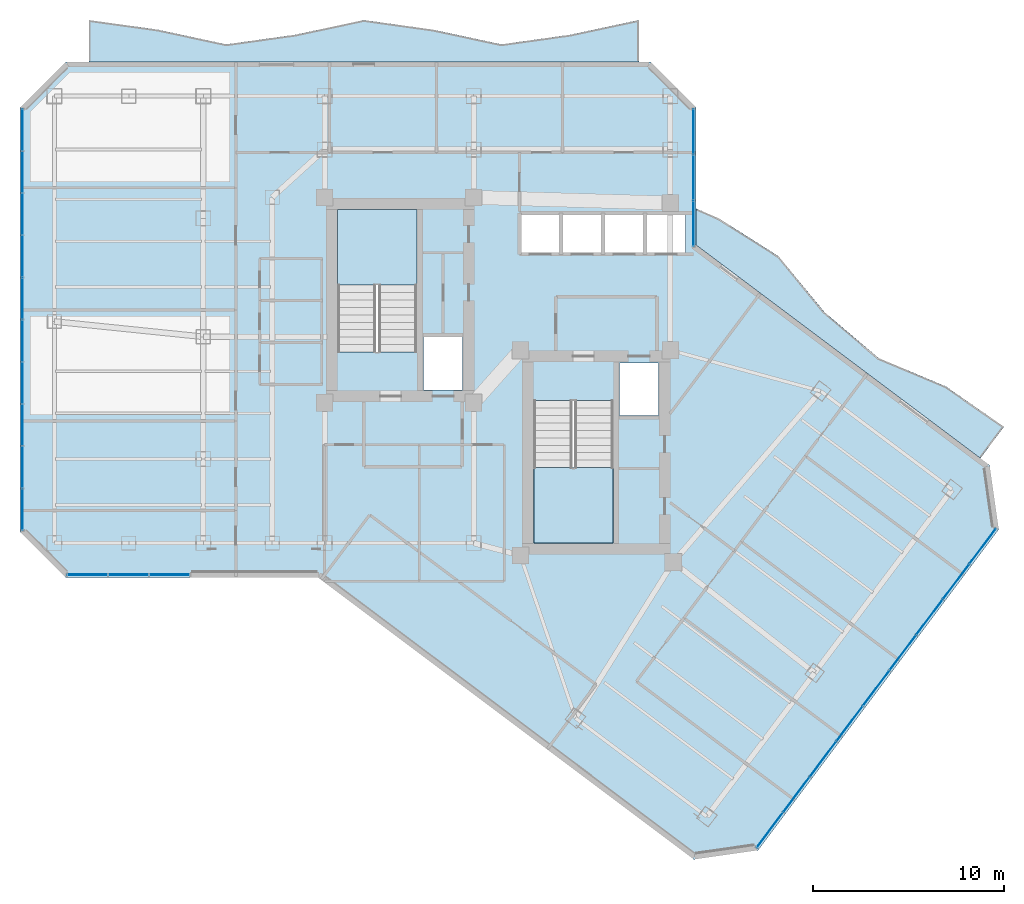
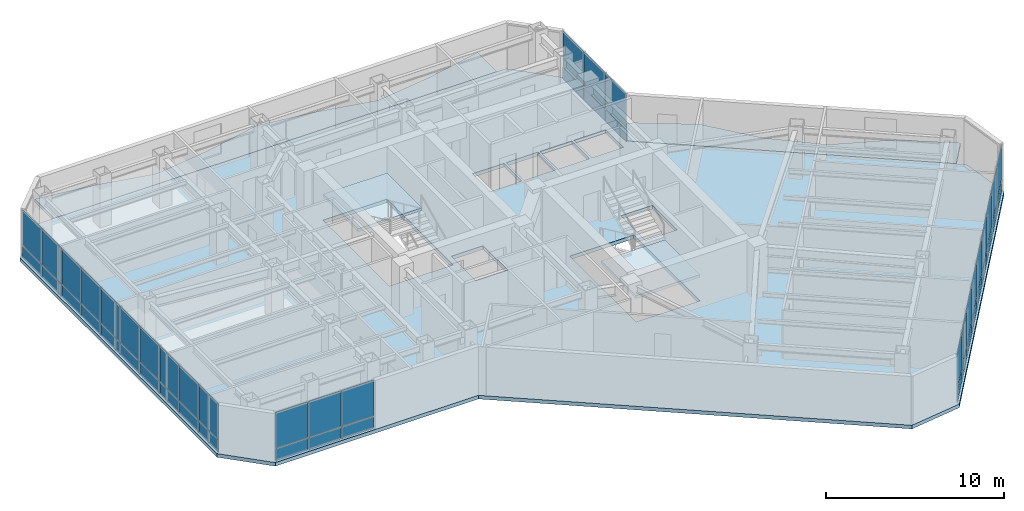
# One storey, part 20 of 27: 50 plates, 5 slabs, 6 elements without a shape of their own.
"""IFC4 building model written with IfcOpenShell, lengths in metres."""

from ifc_helpers import new_model, si_unit, direction, frame, origin, origin_2d, place, context, subcontext, project, spatial, polyline, rectangle, outline, extrude, material, layer, layer_set, type_object, element, aggregate, save


model = new_model("IFC4")

# Units and contexts
model_context = context("Model", 3, precision=1e-05, world=origin(), true_north=direction((0.0, 1.0)))
body_context = subcontext(model_context, "Body", "Model", "MODEL_VIEW")
ifc_project = project(units=[si_unit("LENGTHUNIT", "METRE"), si_unit("AREAUNIT", "SQUARE_METRE"), si_unit("VOLUMEUNIT", "CUBIC_METRE"), si_unit("PLANEANGLEUNIT", "RADIAN"), si_unit("MASSUNIT", "GRAM", prefix="KILO")], contexts=[model_context])

# Site, building, storey
site_placement = place(None, origin())
site = spatial("IfcSite", under=ifc_project, at=site_placement, CompositionType="ELEMENT")
building_placement = place(site_placement, origin())
building = spatial("IfcBuilding", under=site, at=building_placement, Name="Hatsunagi Terrace Concourse", CompositionType="ELEMENT")
storey_placement = place(building_placement, frame((0.0, 0.0, 163.64990234375)))
storey = spatial("IfcBuildingStorey", under=building, at=storey_placement, Name="L43", CompositionType="ELEMENT", Elevation=163.64990234375)

# Curtain wall, plates
ifc_material_1 = material(Name="Anodised Aluminium Alloy 6063-T5", Category="aluminium")
ifc_layer_1 = layer(ifc_material_1, 0.199951171875)
ifc_layer_set_1 = layer_set([ifc_layer_1], Name="OfficeZone1_CW03")
curtain_wall_type = type_object("IfcCurtainWallType", Name="OfficeZone1_CW03", PredefinedType="NOTDEFINED", material=ifc_layer_set_1)
curtain_wall_1_placement = place(storey_placement, origin())
curtain_wall_1 = element("IfcCurtainWall", 1, at=curtain_wall_1_placement, inside=storey, type_object=curtain_wall_type, Name="Unitised Curtain Wall CW-03 CW-L43-03", PredefinedType="NOTDEFINED")
ifc_material_2 = material(Name="Warm Terracotta Ceramic Spandrel Panel", Category="masonry")
ifc_layer_2 = layer(ifc_material_2, 0.031982421875)
ifc_layer_set_2 = layer_set([ifc_layer_2], Name="CurtainWallSpandrelPanel_32")
plate_type_1 = type_object("IfcPlateType", Name="CurtainWallSpandrelPanel_32", PredefinedType="SHEET", material=ifc_layer_set_2)
plate_1_placement = place(storey_placement, frame((59.9970703125, 25.030029296875, 0.030029296875), z_axis=(0.0, 0.0, 1.0), x_axis=(-0.599969314634, -0.800023013105, 0.0)))
plate_1 = element("IfcPlate", 2, at=plate_1_placement, type_object=plate_type_1, Name="Terracotta Spandrel Panel SPN-01", PredefinedType="SHEET", context=body_context, shape_type="SweptSolid", body=[
    extrude(rectangle(XDim=2.264892578125, YDim=0.031982421875, at=origin_2d()), origin(), (0.0, 0.0, 1.0), 0.7900390625),
])
plate_2_placement = place(storey_placement, frame((58.60498046875, 23.173095703125, 0.030029296875), z_axis=(0.0, 0.0, 1.0), x_axis=(-0.599969314634, -0.800023013105, 0.0)))
plate_2 = element("IfcPlate", 3, at=plate_2_placement, type_object=plate_type_1, Name="Terracotta Spandrel Panel SPN-01", PredefinedType="SHEET", context=body_context, shape_type="SweptSolid", body=[
    extrude(rectangle(XDim=2.264892578125, YDim=0.031982421875, at=origin_2d()), origin(), (0.0, 0.0, 1.0), 0.7900390625),
])
plate_3_placement = place(storey_placement, frame((57.2119140625, 21.31689453125, 0.030029296875), z_axis=(0.0, 0.0, 1.0), x_axis=(-0.599969314634, -0.800023013105, 0.0)))
plate_3 = element("IfcPlate", 4, at=plate_3_placement, type_object=plate_type_1, Name="Terracotta Spandrel Panel SPN-01", PredefinedType="SHEET", context=body_context, shape_type="SweptSolid", body=[
    extrude(rectangle(XDim=2.264892578125, YDim=0.031982421875, at=origin_2d()), origin(), (0.0, 0.0, 1.0), 0.7900390625),
])
plate_4_placement = place(storey_placement, frame((55.820068359375, 19.4599609375, 0.030029296875), z_axis=(0.0, 0.0, 1.0), x_axis=(-0.599969314634, -0.800023013105, 0.0)))
plate_4 = element("IfcPlate", 5, at=plate_4_placement, type_object=plate_type_1, Name="Terracotta Spandrel Panel SPN-01", PredefinedType="SHEET", context=body_context, shape_type="SweptSolid", body=[
    extrude(rectangle(XDim=2.264892578125, YDim=0.031982421875, at=origin_2d()), origin(), (0.0, 0.0, 1.0), 0.7900390625),
])
plate_5_placement = place(storey_placement, frame((54.427978515625, 17.60400390625, 0.030029296875), z_axis=(0.0, 0.0, 1.0), x_axis=(-0.599969314634, -0.800023013105, 0.0)))
plate_5 = element("IfcPlate", 6, at=plate_5_placement, type_object=plate_type_1, Name="Terracotta Spandrel Panel SPN-01", PredefinedType="SHEET", context=body_context, shape_type="SweptSolid", body=[
    extrude(rectangle(XDim=2.264892578125, YDim=0.031982421875, at=origin_2d()), origin(), (0.0, 0.0, 1.0), 0.7900390625),
])
plate_6_placement = place(storey_placement, frame((53.035888671875, 15.748046875, 0.030029296875), z_axis=(0.0, 0.0, 1.0), x_axis=(-0.599969314634, -0.800023013105, 0.0)))
plate_6 = element("IfcPlate", 7, at=plate_6_placement, type_object=plate_type_1, Name="Terracotta Spandrel Panel SPN-01", PredefinedType="SHEET", context=body_context, shape_type="SweptSolid", body=[
    extrude(rectangle(XDim=2.264892578125, YDim=0.031982421875, at=origin_2d()), origin(), (0.0, 0.0, 1.0), 0.7900390625),
])
plate_7_placement = place(storey_placement, frame((51.64404296875, 13.89111328125, 0.030029296875), z_axis=(0.0, 0.0, 1.0), x_axis=(-0.599969314634, -0.800023013105, 0.0)))
plate_7 = element("IfcPlate", 8, at=plate_7_placement, type_object=plate_type_1, Name="Terracotta Spandrel Panel SPN-01", PredefinedType="SHEET", context=body_context, shape_type="SweptSolid", body=[
    extrude(rectangle(XDim=2.264892578125, YDim=0.031982421875, at=origin_2d()), origin(), (0.0, 0.0, 1.0), 0.7900390625),
])
plate_8_placement = place(storey_placement, frame((50.2509765625, 12.034912109375, 0.030029296875), z_axis=(0.0, 0.0, 1.0), x_axis=(-0.599969314634, -0.800023013105, 0.0)))
plate_8 = element("IfcPlate", 9, at=plate_8_placement, type_object=plate_type_1, Name="Terracotta Spandrel Panel SPN-01", PredefinedType="SHEET", context=body_context, shape_type="SweptSolid", body=[
    extrude(rectangle(XDim=2.264892578125, YDim=0.031982421875, at=origin_2d()), origin(), (0.0, 0.0, 1.0), 0.7900390625),
])
plate_9_placement = place(storey_placement, frame((48.85888671875, 10.177978515625, 0.030029296875), z_axis=(0.0, 0.0, 1.0), x_axis=(-0.599969314634, -0.800023013105, 0.0)))
plate_9 = element("IfcPlate", 10, at=plate_9_placement, type_object=plate_type_1, Name="Terracotta Spandrel Panel SPN-01", PredefinedType="SHEET", context=body_context, shape_type="SweptSolid", body=[
    extrude(rectangle(XDim=2.264892578125, YDim=0.031982421875, at=origin_2d()), origin(), (0.0, 0.0, 1.0), 0.7900390625),
])

curtain_wall_2_placement = place(storey_placement, origin())
curtain_wall_2 = element("IfcCurtainWall", 11, at=curtain_wall_2_placement, inside=storey, type_object=curtain_wall_type, Name="Unitised Curtain Wall CW-03 CW-L43-07", PredefinedType="NOTDEFINED")
plate_10_placement = place(storey_placement, frame((17.426025390625, 23.5400390625, 0.030029296875), z_axis=(0.0, 0.0, 1.0), x_axis=(-1.0, 0.0, 0.0)))
plate_10 = element("IfcPlate", 12, at=plate_10_placement, type_object=plate_type_1, Name="Terracotta Spandrel Panel SPN-01", PredefinedType="SHEET", context=body_context, shape_type="SweptSolid", body=[
    extrude(rectangle(XDim=2.092041015625, YDim=0.031982421875, at=origin_2d()), origin(), (0.0, 0.0, 1.0), 0.7900390625),
])
plate_11_placement = place(storey_placement, frame((15.279052734375, 23.5400390625, 0.030029296875), z_axis=(0.0, 0.0, 1.0), x_axis=(-1.0, 0.0, 0.0)))
plate_11 = element("IfcPlate", 13, at=plate_11_placement, type_object=plate_type_1, Name="Terracotta Spandrel Panel SPN-01", PredefinedType="SHEET", context=body_context, shape_type="SweptSolid", body=[
    extrude(rectangle(XDim=2.092041015625, YDim=0.031982421875, at=origin_2d()), origin(), (0.0, 0.0, 1.0), 0.7900390625),
])
plate_12_placement = place(storey_placement, frame((13.132080078125, 23.5400390625, 0.030029296875), z_axis=(0.0, 0.0, 1.0), x_axis=(-1.0, 0.0, 0.0)))
plate_12 = element("IfcPlate", 14, at=plate_12_placement, type_object=plate_type_1, Name="Terracotta Spandrel Panel SPN-01", PredefinedType="SHEET", context=body_context, shape_type="SweptSolid", body=[
    extrude(rectangle(XDim=2.092041015625, YDim=0.031982421875, at=origin_2d()), origin(), (0.0, 0.0, 1.0), 0.7900390625),
])

curtain_wall_3_placement = place(storey_placement, origin())
curtain_wall_3 = element("IfcCurtainWall", 15, at=curtain_wall_3_placement, inside=storey, type_object=curtain_wall_type, Name="Unitised Curtain Wall CW-03 CW-L43-09", PredefinedType="NOTDEFINED")
plate_13_placement = place(storey_placement, frame((9.739990234375, 26.9619140625, 0.030029296875), z_axis=(0.0, 0.0, 1.0), x_axis=(0.0, 1.0, 0.0)))
plate_13 = element("IfcPlate", 16, at=plate_13_placement, type_object=plate_type_1, Name="Terracotta Spandrel Panel SPN-01", PredefinedType="SHEET", context=body_context, shape_type="SweptSolid", body=[
    extrude(rectangle(XDim=2.153076171875, YDim=0.031982421875, at=origin_2d()), origin(), (0.0, 0.0, 1.0), 0.7900390625),
])
plate_14_placement = place(storey_placement, frame((9.739990234375, 29.1708984375, 0.030029296875), z_axis=(0.0, 0.0, 1.0), x_axis=(0.0, 1.0, 0.0)))
plate_14 = element("IfcPlate", 17, at=plate_14_placement, type_object=plate_type_1, Name="Terracotta Spandrel Panel SPN-01", PredefinedType="SHEET", context=body_context, shape_type="SweptSolid", body=[
    extrude(rectangle(XDim=2.153076171875, YDim=0.031982421875, at=origin_2d()), origin(), (0.0, 0.0, 1.0), 0.7900390625),
])
plate_15_placement = place(storey_placement, frame((9.739990234375, 31.37890625, 0.030029296875), z_axis=(0.0, 0.0, 1.0), x_axis=(0.0, 1.0, 0.0)))
plate_15 = element("IfcPlate", 18, at=plate_15_placement, type_object=plate_type_1, Name="Terracotta Spandrel Panel SPN-01", PredefinedType="SHEET", context=body_context, shape_type="SweptSolid", body=[
    extrude(rectangle(XDim=2.153076171875, YDim=0.031982421875, at=origin_2d()), origin(), (0.0, 0.0, 1.0), 0.7900390625),
])
plate_16_placement = place(storey_placement, frame((9.739990234375, 33.5869140625, 0.030029296875), z_axis=(0.0, 0.0, 1.0), x_axis=(0.0, 1.0, 0.0)))
plate_16 = element("IfcPlate", 19, at=plate_16_placement, type_object=plate_type_1, Name="Terracotta Spandrel Panel SPN-01", PredefinedType="SHEET", context=body_context, shape_type="SweptSolid", body=[
    extrude(rectangle(XDim=2.153076171875, YDim=0.031982421875, at=origin_2d()), origin(), (0.0, 0.0, 1.0), 0.7900390625),
])
plate_17_placement = place(storey_placement, frame((9.739990234375, 35.7958984375, 0.030029296875), z_axis=(0.0, 0.0, 1.0), x_axis=(0.0, 1.0, 0.0)))
plate_17 = element("IfcPlate", 20, at=plate_17_placement, type_object=plate_type_1, Name="Terracotta Spandrel Panel SPN-01", PredefinedType="SHEET", context=body_context, shape_type="SweptSolid", body=[
    extrude(rectangle(XDim=2.153076171875, YDim=0.031982421875, at=origin_2d()), origin(), (0.0, 0.0, 1.0), 0.7900390625),
])
plate_18_placement = place(storey_placement, frame((9.739990234375, 38.00390625, 0.030029296875), z_axis=(0.0, 0.0, 1.0), x_axis=(0.0, 1.0, 0.0)))
plate_18 = element("IfcPlate", 21, at=plate_18_placement, type_object=plate_type_1, Name="Terracotta Spandrel Panel SPN-01", PredefinedType="SHEET", context=body_context, shape_type="SweptSolid", body=[
    extrude(rectangle(XDim=2.153076171875, YDim=0.031982421875, at=origin_2d()), origin(), (0.0, 0.0, 1.0), 0.7900390625),
])
plate_19_placement = place(storey_placement, frame((9.739990234375, 40.212890625, 0.030029296875), z_axis=(0.0, 0.0, 1.0), x_axis=(0.0, 1.0, 0.0)))
plate_19 = element("IfcPlate", 22, at=plate_19_placement, type_object=plate_type_1, Name="Terracotta Spandrel Panel SPN-01", PredefinedType="SHEET", context=body_context, shape_type="SweptSolid", body=[
    extrude(rectangle(XDim=2.153076171875, YDim=0.031982421875, at=origin_2d()), origin(), (0.0, 0.0, 1.0), 0.7900390625),
])
plate_20_placement = place(storey_placement, frame((9.739990234375, 42.4208984375, 0.030029296875), z_axis=(0.0, 0.0, 1.0), x_axis=(0.0, 1.0, 0.0)))
plate_20 = element("IfcPlate", 23, at=plate_20_placement, type_object=plate_type_1, Name="Terracotta Spandrel Panel SPN-01", PredefinedType="SHEET", context=body_context, shape_type="SweptSolid", body=[
    extrude(rectangle(XDim=2.153076171875, YDim=0.031982421875, at=origin_2d()), origin(), (0.0, 0.0, 1.0), 0.7900390625),
])
plate_21_placement = place(storey_placement, frame((9.739990234375, 44.62890625, 0.030029296875), z_axis=(0.0, 0.0, 1.0), x_axis=(0.0, 1.0, 0.0)))
plate_21 = element("IfcPlate", 24, at=plate_21_placement, type_object=plate_type_1, Name="Terracotta Spandrel Panel SPN-01", PredefinedType="SHEET", context=body_context, shape_type="SweptSolid", body=[
    extrude(rectangle(XDim=2.153076171875, YDim=0.031982421875, at=origin_2d()), origin(), (0.0, 0.0, 1.0), 0.7900390625),
])
plate_22_placement = place(storey_placement, frame((9.739990234375, 46.837890625, 0.030029296875), z_axis=(0.0, 0.0, 1.0), x_axis=(0.0, 1.0, 0.0)))
plate_22 = element("IfcPlate", 25, at=plate_22_placement, type_object=plate_type_1, Name="Terracotta Spandrel Panel SPN-01", PredefinedType="SHEET", context=body_context, shape_type="SweptSolid", body=[
    extrude(rectangle(XDim=2.153076171875, YDim=0.031982421875, at=origin_2d()), origin(), (0.0, 0.0, 1.0), 0.7900390625),
])

curtain_wall_4_placement = place(storey_placement, origin())
curtain_wall_4 = element("IfcCurtainWall", 26, at=curtain_wall_4_placement, inside=storey, type_object=curtain_wall_type, Name="Unitised Curtain Wall CW-03 CW-L43-13", PredefinedType="NOTDEFINED")
plate_23_placement = place(storey_placement, frame((44.860107421875, 46.739990234375, 0.030029296875), z_axis=(0.0, 0.0, 1.0), x_axis=(0.0, -1.0, 0.0)))
plate_23 = element("IfcPlate", 27, at=plate_23_placement, type_object=plate_type_1, Name="Terracotta Spandrel Panel SPN-01", PredefinedType="SHEET", context=body_context, shape_type="SweptSolid", body=[
    extrude(rectangle(XDim=2.34912109375, YDim=0.031982421875, at=origin_2d()), origin(), (0.0, 0.0, 1.0), 0.7900390625),
])
plate_24_placement = place(storey_placement, frame((44.860107421875, 44.3359375, 0.030029296875), z_axis=(0.0, 0.0, 1.0), x_axis=(0.0, -1.0, 0.0)))
plate_24 = element("IfcPlate", 28, at=plate_24_placement, type_object=plate_type_1, Name="Terracotta Spandrel Panel SPN-01", PredefinedType="SHEET", context=body_context, shape_type="SweptSolid", body=[
    extrude(rectangle(XDim=2.34912109375, YDim=0.031982421875, at=origin_2d()), origin(), (0.0, 0.0, 1.0), 0.7900390625),
])
plate_25_placement = place(storey_placement, frame((44.860107421875, 41.931884765625, 0.030029296875), z_axis=(0.0, 0.0, 1.0), x_axis=(0.0, -1.0, 0.0)))
plate_25 = element("IfcPlate", 29, at=plate_25_placement, type_object=plate_type_1, Name="Terracotta Spandrel Panel SPN-01", PredefinedType="SHEET", context=body_context, shape_type="SweptSolid", body=[
    extrude(rectangle(XDim=2.34912109375, YDim=0.031982421875, at=origin_2d()), origin(), (0.0, 0.0, 1.0), 0.7900390625),
])

# Plate
ifc_material_3 = material(Name="Low-E Double Insulating Glass 28mm", Category="glass")
ifc_layer_3 = layer(ifc_material_3, 0.028076171875)
ifc_layer_set_3 = layer_set([ifc_layer_3], Name="CurtainWallVisionGlass_28")
plate_type_2 = type_object("IfcPlateType", Name="CurtainWallVisionGlass_28", PredefinedType="CURTAIN_PANEL", material=ifc_layer_set_3)
plate_26_placement = place(storey_placement, frame((59.9970703125, 25.030029296875, 0.880126953125), z_axis=(0.0, 0.0, 1.0), x_axis=(-0.599969314634, -0.800023013105, 0.0)))
plate_26 = element("IfcPlate", 30, at=plate_26_placement, type_object=plate_type_2, Name="Low-E Vision Glass Panel GLZ-01", PredefinedType="CURTAIN_PANEL", context=body_context, shape_type="SweptSolid", body=[
    extrude(rectangle(XDim=2.264892578125, YDim=0.028076171875, at=origin_2d()), origin(), (0.0, 0.0, 1.0), 2.43994140625),
])

plate_27_placement = place(storey_placement, frame((58.60498046875, 23.173095703125, 0.880126953125), z_axis=(0.0, 0.0, 1.0), x_axis=(-0.599969314634, -0.800023013105, 0.0)))
plate_27 = element("IfcPlate", 31, at=plate_27_placement, type_object=plate_type_2, Name="Low-E Vision Glass Panel GLZ-01", PredefinedType="CURTAIN_PANEL", context=body_context, shape_type="SweptSolid", body=[
    extrude(rectangle(XDim=2.264892578125, YDim=0.028076171875, at=origin_2d()), origin(), (0.0, 0.0, 1.0), 2.43994140625),
])

plate_28_placement = place(storey_placement, frame((57.2119140625, 21.31689453125, 0.880126953125), z_axis=(0.0, 0.0, 1.0), x_axis=(-0.599969314634, -0.800023013105, 0.0)))
plate_28 = element("IfcPlate", 32, at=plate_28_placement, type_object=plate_type_2, Name="Low-E Vision Glass Panel GLZ-01", PredefinedType="CURTAIN_PANEL", context=body_context, shape_type="SweptSolid", body=[
    extrude(rectangle(XDim=2.264892578125, YDim=0.028076171875, at=origin_2d()), origin(), (0.0, 0.0, 1.0), 2.43994140625),
])

plate_29_placement = place(storey_placement, frame((55.820068359375, 19.4599609375, 0.880126953125), z_axis=(0.0, 0.0, 1.0), x_axis=(-0.599969314634, -0.800023013105, 0.0)))
plate_29 = element("IfcPlate", 33, at=plate_29_placement, type_object=plate_type_2, Name="Low-E Vision Glass Panel GLZ-01", PredefinedType="CURTAIN_PANEL", context=body_context, shape_type="SweptSolid", body=[
    extrude(rectangle(XDim=2.264892578125, YDim=0.028076171875, at=origin_2d()), origin(), (0.0, 0.0, 1.0), 2.43994140625),
])

plate_30_placement = place(storey_placement, frame((54.427978515625, 17.60400390625, 0.880126953125), z_axis=(0.0, 0.0, 1.0), x_axis=(-0.599969314634, -0.800023013105, 0.0)))
plate_30 = element("IfcPlate", 34, at=plate_30_placement, type_object=plate_type_2, Name="Low-E Vision Glass Panel GLZ-01", PredefinedType="CURTAIN_PANEL", context=body_context, shape_type="SweptSolid", body=[
    extrude(rectangle(XDim=2.264892578125, YDim=0.028076171875, at=origin_2d()), origin(), (0.0, 0.0, 1.0), 2.43994140625),
])

plate_31_placement = place(storey_placement, frame((53.035888671875, 15.748046875, 0.880126953125), z_axis=(0.0, 0.0, 1.0), x_axis=(-0.599969314634, -0.800023013105, 0.0)))
plate_31 = element("IfcPlate", 35, at=plate_31_placement, type_object=plate_type_2, Name="Low-E Vision Glass Panel GLZ-01", PredefinedType="CURTAIN_PANEL", context=body_context, shape_type="SweptSolid", body=[
    extrude(rectangle(XDim=2.264892578125, YDim=0.028076171875, at=origin_2d()), origin(), (0.0, 0.0, 1.0), 2.43994140625),
])

plate_32_placement = place(storey_placement, frame((51.64404296875, 13.89111328125, 0.880126953125), z_axis=(0.0, 0.0, 1.0), x_axis=(-0.599969314634, -0.800023013105, 0.0)))
plate_32 = element("IfcPlate", 36, at=plate_32_placement, type_object=plate_type_2, Name="Low-E Vision Glass Panel GLZ-01", PredefinedType="CURTAIN_PANEL", context=body_context, shape_type="SweptSolid", body=[
    extrude(rectangle(XDim=2.264892578125, YDim=0.028076171875, at=origin_2d()), origin(), (0.0, 0.0, 1.0), 2.43994140625),
])

plate_33_placement = place(storey_placement, frame((50.2509765625, 12.034912109375, 0.880126953125), z_axis=(0.0, 0.0, 1.0), x_axis=(-0.599969314634, -0.800023013105, 0.0)))
plate_33 = element("IfcPlate", 37, at=plate_33_placement, type_object=plate_type_2, Name="Low-E Vision Glass Panel GLZ-01", PredefinedType="CURTAIN_PANEL", context=body_context, shape_type="SweptSolid", body=[
    extrude(rectangle(XDim=2.264892578125, YDim=0.028076171875, at=origin_2d()), origin(), (0.0, 0.0, 1.0), 2.43994140625),
])

plate_34_placement = place(storey_placement, frame((48.85888671875, 10.177978515625, 0.880126953125), z_axis=(0.0, 0.0, 1.0), x_axis=(-0.599969314634, -0.800023013105, 0.0)))
plate_34 = element("IfcPlate", 38, at=plate_34_placement, type_object=plate_type_2, Name="Low-E Vision Glass Panel GLZ-01", PredefinedType="CURTAIN_PANEL", context=body_context, shape_type="SweptSolid", body=[
    extrude(rectangle(XDim=2.264892578125, YDim=0.028076171875, at=origin_2d()), origin(), (0.0, 0.0, 1.0), 2.43994140625),
])

aggregate(curtain_wall_1, [plate_1, plate_26, plate_2, plate_27, plate_3, plate_28, plate_4, plate_29, plate_5, plate_30, plate_6, plate_31, plate_7, plate_32, plate_8, plate_33, plate_9, plate_34])

plate_35_placement = place(storey_placement, frame((17.426025390625, 23.5400390625, 0.880126953125), z_axis=(0.0, 0.0, 1.0), x_axis=(-1.0, 0.0, 0.0)))
plate_35 = element("IfcPlate", 39, at=plate_35_placement, type_object=plate_type_2, Name="Low-E Vision Glass Panel GLZ-01", PredefinedType="CURTAIN_PANEL", context=body_context, shape_type="SweptSolid", body=[
    extrude(rectangle(XDim=2.092041015625, YDim=0.028076171875, at=origin_2d()), origin(), (0.0, 0.0, 1.0), 2.43994140625),
])

plate_36_placement = place(storey_placement, frame((15.279052734375, 23.5400390625, 0.880126953125), z_axis=(0.0, 0.0, 1.0), x_axis=(-1.0, 0.0, 0.0)))
plate_36 = element("IfcPlate", 40, at=plate_36_placement, type_object=plate_type_2, Name="Low-E Vision Glass Panel GLZ-01", PredefinedType="CURTAIN_PANEL", context=body_context, shape_type="SweptSolid", body=[
    extrude(rectangle(XDim=2.092041015625, YDim=0.028076171875, at=origin_2d()), origin(), (0.0, 0.0, 1.0), 2.43994140625),
])

plate_37_placement = place(storey_placement, frame((13.132080078125, 23.5400390625, 0.880126953125), z_axis=(0.0, 0.0, 1.0), x_axis=(-1.0, 0.0, 0.0)))
plate_37 = element("IfcPlate", 41, at=plate_37_placement, type_object=plate_type_2, Name="Low-E Vision Glass Panel GLZ-01", PredefinedType="CURTAIN_PANEL", context=body_context, shape_type="SweptSolid", body=[
    extrude(rectangle(XDim=2.092041015625, YDim=0.028076171875, at=origin_2d()), origin(), (0.0, 0.0, 1.0), 2.43994140625),
])

aggregate(curtain_wall_2, [plate_10, plate_35, plate_11, plate_36, plate_12, plate_37])

plate_38_placement = place(storey_placement, frame((9.739990234375, 26.9619140625, 0.880126953125), z_axis=(0.0, 0.0, 1.0), x_axis=(0.0, 1.0, 0.0)))
plate_38 = element("IfcPlate", 42, at=plate_38_placement, type_object=plate_type_2, Name="Low-E Vision Glass Panel GLZ-01", PredefinedType="CURTAIN_PANEL", context=body_context, shape_type="SweptSolid", body=[
    extrude(rectangle(XDim=2.153076171875, YDim=0.028076171875, at=origin_2d()), origin(), (0.0, 0.0, 1.0), 2.43994140625),
])

plate_39_placement = place(storey_placement, frame((9.739990234375, 29.1708984375, 0.880126953125), z_axis=(0.0, 0.0, 1.0), x_axis=(0.0, 1.0, 0.0)))
plate_39 = element("IfcPlate", 43, at=plate_39_placement, type_object=plate_type_2, Name="Low-E Vision Glass Panel GLZ-01", PredefinedType="CURTAIN_PANEL", context=body_context, shape_type="SweptSolid", body=[
    extrude(rectangle(XDim=2.153076171875, YDim=0.028076171875, at=origin_2d()), origin(), (0.0, 0.0, 1.0), 2.43994140625),
])

plate_40_placement = place(storey_placement, frame((9.739990234375, 31.37890625, 0.880126953125), z_axis=(0.0, 0.0, 1.0), x_axis=(0.0, 1.0, 0.0)))
plate_40 = element("IfcPlate", 44, at=plate_40_placement, type_object=plate_type_2, Name="Low-E Vision Glass Panel GLZ-01", PredefinedType="CURTAIN_PANEL", context=body_context, shape_type="SweptSolid", body=[
    extrude(rectangle(XDim=2.153076171875, YDim=0.028076171875, at=origin_2d()), origin(), (0.0, 0.0, 1.0), 2.43994140625),
])

plate_41_placement = place(storey_placement, frame((9.739990234375, 33.5869140625, 0.880126953125), z_axis=(0.0, 0.0, 1.0), x_axis=(0.0, 1.0, 0.0)))
plate_41 = element("IfcPlate", 45, at=plate_41_placement, type_object=plate_type_2, Name="Low-E Vision Glass Panel GLZ-01", PredefinedType="CURTAIN_PANEL", context=body_context, shape_type="SweptSolid", body=[
    extrude(rectangle(XDim=2.153076171875, YDim=0.028076171875, at=origin_2d()), origin(), (0.0, 0.0, 1.0), 2.43994140625),
])

plate_42_placement = place(storey_placement, frame((9.739990234375, 35.7958984375, 0.880126953125), z_axis=(0.0, 0.0, 1.0), x_axis=(0.0, 1.0, 0.0)))
plate_42 = element("IfcPlate", 46, at=plate_42_placement, type_object=plate_type_2, Name="Low-E Vision Glass Panel GLZ-01", PredefinedType="CURTAIN_PANEL", context=body_context, shape_type="SweptSolid", body=[
    extrude(rectangle(XDim=2.153076171875, YDim=0.028076171875, at=origin_2d()), origin(), (0.0, 0.0, 1.0), 2.43994140625),
])

plate_43_placement = place(storey_placement, frame((9.739990234375, 38.00390625, 0.880126953125), z_axis=(0.0, 0.0, 1.0), x_axis=(0.0, 1.0, 0.0)))
plate_43 = element("IfcPlate", 47, at=plate_43_placement, type_object=plate_type_2, Name="Low-E Vision Glass Panel GLZ-01", PredefinedType="CURTAIN_PANEL", context=body_context, shape_type="SweptSolid", body=[
    extrude(rectangle(XDim=2.153076171875, YDim=0.028076171875, at=origin_2d()), origin(), (0.0, 0.0, 1.0), 2.43994140625),
])

plate_44_placement = place(storey_placement, frame((9.739990234375, 40.212890625, 0.880126953125), z_axis=(0.0, 0.0, 1.0), x_axis=(0.0, 1.0, 0.0)))
plate_44 = element("IfcPlate", 48, at=plate_44_placement, type_object=plate_type_2, Name="Low-E Vision Glass Panel GLZ-01", PredefinedType="CURTAIN_PANEL", context=body_context, shape_type="SweptSolid", body=[
    extrude(rectangle(XDim=2.153076171875, YDim=0.028076171875, at=origin_2d()), origin(), (0.0, 0.0, 1.0), 2.43994140625),
])

plate_45_placement = place(storey_placement, frame((9.739990234375, 42.4208984375, 0.880126953125), z_axis=(0.0, 0.0, 1.0), x_axis=(0.0, 1.0, 0.0)))
plate_45 = element("IfcPlate", 49, at=plate_45_placement, type_object=plate_type_2, Name="Low-E Vision Glass Panel GLZ-01", PredefinedType="CURTAIN_PANEL", context=body_context, shape_type="SweptSolid", body=[
    extrude(rectangle(XDim=2.153076171875, YDim=0.028076171875, at=origin_2d()), origin(), (0.0, 0.0, 1.0), 2.43994140625),
])

plate_46_placement = place(storey_placement, frame((9.739990234375, 44.62890625, 0.880126953125), z_axis=(0.0, 0.0, 1.0), x_axis=(0.0, 1.0, 0.0)))
plate_46 = element("IfcPlate", 50, at=plate_46_placement, type_object=plate_type_2, Name="Low-E Vision Glass Panel GLZ-01", PredefinedType="CURTAIN_PANEL", context=body_context, shape_type="SweptSolid", body=[
    extrude(rectangle(XDim=2.153076171875, YDim=0.028076171875, at=origin_2d()), origin(), (0.0, 0.0, 1.0), 2.43994140625),
])

plate_47_placement = place(storey_placement, frame((9.739990234375, 46.837890625, 0.880126953125), z_axis=(0.0, 0.0, 1.0), x_axis=(0.0, 1.0, 0.0)))
plate_47 = element("IfcPlate", 51, at=plate_47_placement, type_object=plate_type_2, Name="Low-E Vision Glass Panel GLZ-01", PredefinedType="CURTAIN_PANEL", context=body_context, shape_type="SweptSolid", body=[
    extrude(rectangle(XDim=2.153076171875, YDim=0.028076171875, at=origin_2d()), origin(), (0.0, 0.0, 1.0), 2.43994140625),
])

aggregate(curtain_wall_3, [plate_13, plate_38, plate_14, plate_39, plate_15, plate_40, plate_16, plate_41, plate_17, plate_42, plate_18, plate_43, plate_19, plate_44, plate_20, plate_45, plate_21, plate_46, plate_22, plate_47])

plate_48_placement = place(storey_placement, frame((44.860107421875, 46.739990234375, 0.880126953125), z_axis=(0.0, 0.0, 1.0), x_axis=(0.0, -1.0, 0.0)))
plate_48 = element("IfcPlate", 52, at=plate_48_placement, type_object=plate_type_2, Name="Low-E Vision Glass Panel GLZ-01", PredefinedType="CURTAIN_PANEL", context=body_context, shape_type="SweptSolid", body=[
    extrude(rectangle(XDim=2.34912109375, YDim=0.028076171875, at=origin_2d()), origin(), (0.0, 0.0, 1.0), 2.43994140625),
])

plate_49_placement = place(storey_placement, frame((44.860107421875, 44.3359375, 0.880126953125), z_axis=(0.0, 0.0, 1.0), x_axis=(0.0, -1.0, 0.0)))
plate_49 = element("IfcPlate", 53, at=plate_49_placement, type_object=plate_type_2, Name="Low-E Vision Glass Panel GLZ-01", PredefinedType="CURTAIN_PANEL", context=body_context, shape_type="SweptSolid", body=[
    extrude(rectangle(XDim=2.34912109375, YDim=0.028076171875, at=origin_2d()), origin(), (0.0, 0.0, 1.0), 2.43994140625),
])

plate_50_placement = place(storey_placement, frame((44.860107421875, 41.931884765625, 0.880126953125), z_axis=(0.0, 0.0, 1.0), x_axis=(0.0, -1.0, 0.0)))
plate_50 = element("IfcPlate", 54, at=plate_50_placement, type_object=plate_type_2, Name="Low-E Vision Glass Panel GLZ-01", PredefinedType="CURTAIN_PANEL", context=body_context, shape_type="SweptSolid", body=[
    extrude(rectangle(XDim=2.34912109375, YDim=0.028076171875, at=origin_2d()), origin(), (0.0, 0.0, 1.0), 2.43994140625),
])

aggregate(curtain_wall_4, [plate_23, plate_48, plate_24, plate_49, plate_25, plate_50])

# Stair, slab
ifc_material_4 = material(Name="Concrete Fc42", Category="concrete")
stair_type = type_object("IfcStairType", Name="DoglegExitStair_Tower2000_20R_180", PredefinedType="HALF_TURN_STAIR", material=ifc_material_4)
stair_1_placement = place(storey_placement, origin())
stair_1 = element("IfcStair", 55, at=stair_1_placement, inside=storey, type_object=stair_type, Name="L43 Core A Protected Exit Stair ST-A", PredefinedType="HALF_TURN_STAIR")
ifc_material_5 = material(Name="Concrete Fc42", Category="concrete")
ifc_layer_4 = layer(ifc_material_5, 0.199951171875)
ifc_layer_set_4 = layer_set([ifc_layer_4], Name="DoglegStairLanding_Tower2000")
slab_type_1 = type_object("IfcSlabType", Name="DoglegStairLanding_Tower2000", PredefinedType="LANDING", material=ifc_layer_set_4)
slab_1_placement = place(storey_placement, frame((0.0, 0.0, 1.60009765625)))
slab_1 = element("IfcSlab", 56, at=slab_1_placement, type_object=slab_type_1, Name="ST-A landing 1", PredefinedType="LANDING", context=body_context, shape_type="SweptSolid", body=[
    extrude(outline(polyline([(30.3798828125, 38.7099609375), (30.3798828125, 42.659912109375), (26.22998046875, 42.659912109375), (26.22998046875, 38.7099609375), (30.3798828125, 38.7099609375)])), origin(), (0.0, 0.0, 1.0), 0.199951171875),
])
aggregate(stair_1, [slab_1])

stair_2_placement = place(storey_placement, origin())
stair_2 = element("IfcStair", 57, at=stair_2_placement, inside=storey, type_object=stair_type, Name="L43 Core B Protected Exit Stair ST-B", PredefinedType="HALF_TURN_STAIR")
slab_2_placement = place(storey_placement, frame((0.0, 0.0, 1.60009765625)))
slab_2 = element("IfcSlab", 58, at=slab_2_placement, type_object=slab_type_1, Name="ST-B landing 1", PredefinedType="LANDING", context=body_context, shape_type="SweptSolid", body=[
    extrude(outline(polyline([(36.5, 29.14990234375), (36.5, 25.199951171875), (40.64990234375, 25.199951171875), (40.64990234375, 29.14990234375), (36.5, 29.14990234375)])), origin(), (0.0, 0.0, 1.0), 0.199951171875),
])
aggregate(stair_2, [slab_2])

# Slabs
ifc_material_6 = material(Name="Concrete Fc42", Category="concrete")
ifc_layer_5 = layer(ifc_material_6, 0.199951171875)
ifc_layer_set_5 = layer_set([ifc_layer_5], Name="EngawaBalconySlab_Fc42_200")
slab_type_2 = type_object("IfcSlabType", Name="EngawaBalconySlab_Fc42_200", PredefinedType="FLOOR", material=ifc_layer_set_5)
slab_3_placement = place(storey_placement, frame((0.0, 0.0, -0.199951171875)))
element("IfcSlab", 59, at=slab_3_placement, inside=storey, type_object=slab_type_2, Name="Engawa Balcony Slab BAL-L43-BN", PredefinedType="FLOOR", context=body_context, shape_type="SweptSolid", body=[
    extrude(outline(polyline([(13.199951171875, 52.5859375), (13.199951171875, 50.39990234375), (42.0, 50.39990234375), (42.0, 52.5859375), (38.39990234375, 51.81494140625), (34.800048828125, 51.31396484375), (31.199951171875, 52.0849609375), (27.60009765625, 52.5859375), (24.0, 51.81494140625), (20.39990234375, 51.31396484375), (16.800048828125, 52.0849609375), (13.199951171875, 52.5859375)])), origin(), (0.0, 0.0, 1.0), 0.199951171875),
])
slab_4_placement = place(storey_placement, frame((0.0, 0.0, -0.199951171875)))
element("IfcSlab", 60, at=slab_4_placement, inside=storey, type_object=slab_type_2, Name="Engawa Balcony Slab BAL-L43-BSE", PredefinedType="FLOOR", context=body_context, shape_type="SweptSolid", body=[
    extrude(outline(polyline([(46.177978515625, 42.2041015625), (44.99609375, 42.718017578125), (44.99609375, 40.802978515625), (59.8798828125, 29.639892578125), (61.116943359375, 31.2900390625), (58.075927734375, 33.402099609375), (54.56298828125, 34.884033203125), (51.73193359375, 37.27587890625), (49.31396484375, 40.218994140625), (46.177978515625, 42.2041015625)])), origin(), (0.0, 0.0, 1.0), 0.199951171875),
])
ifc_material_7 = material(Name="Concrete Fc42", Category="concrete")
ifc_layer_6 = layer(ifc_material_7, 0.25)
ifc_layer_set_6 = layer_set([ifc_layer_6], Name="OfficeCrownSlab_Fc42_250")
slab_type_3 = type_object("IfcSlabType", Name="OfficeCrownSlab_Fc42_250", PredefinedType="FLOOR", material=ifc_layer_set_6)
slab_5_placement = place(storey_placement, frame((0.0, 0.0, -0.25)))
element("IfcSlab", 61, at=slab_5_placement, inside=storey, type_object=slab_type_3, Name="Floor Slab SL-250 L43", PredefinedType="FLOOR", context=body_context, shape_type="SweptSolid", body=[
    extrude(outline(polyline([(45.0, 40.800048828125), (45.0, 48.0), (42.60009765625, 50.39990234375), (12.0, 50.39990234375), (9.60009765625, 48.0), (9.60009765625, 25.800048828125), (12.0, 23.39990234375), (25.199951171875, 23.39990234375), (44.8798828125, 8.639892578125), (48.239990234375, 9.1201171875), (60.840087890625, 25.919921875), (60.360107421875, 29.280029296875), (45.0, 40.800048828125)]), holes=[polyline([(26.22998046875, 35.205078125), (30.3798828125, 35.205078125), (30.3798828125, 42.659912109375), (26.22998046875, 42.659912109375), (26.22998046875, 35.205078125)]), polyline([(36.5, 25.199951171875), (40.64990234375, 25.199951171875), (40.64990234375, 32.655029296875), (36.5, 32.655029296875), (36.5, 25.199951171875)]), polyline([(30.719970703125, 33.219970703125), (32.780029296875, 33.219970703125), (32.780029296875, 35.97998046875), (30.719970703125, 35.97998046875), (30.719970703125, 33.219970703125)]), polyline([(40.97998046875, 31.8798828125), (43.02001953125, 31.8798828125), (43.02001953125, 34.639892578125), (40.97998046875, 34.639892578125), (40.97998046875, 31.8798828125)]), polyline([(35.800048828125, 40.39990234375), (37.85009765625, 40.39990234375), (37.85009765625, 42.39990234375), (35.800048828125, 42.39990234375), (35.800048828125, 40.39990234375)]), polyline([(38.0, 40.39990234375), (40.050048828125, 40.39990234375), (40.050048828125, 42.39990234375), (38.0, 42.39990234375), (38.0, 40.39990234375)]), polyline([(40.199951171875, 40.39990234375), (42.25, 40.39990234375), (42.25, 42.39990234375), (40.199951171875, 42.39990234375), (40.199951171875, 40.39990234375)]), polyline([(42.39990234375, 40.39990234375), (44.449951171875, 40.39990234375), (44.449951171875, 42.39990234375), (42.39990234375, 42.39990234375), (42.39990234375, 40.39990234375)])]), origin(), (0.0, 0.0, 1.0), 0.25),
])

save(model, "model.ifc")
